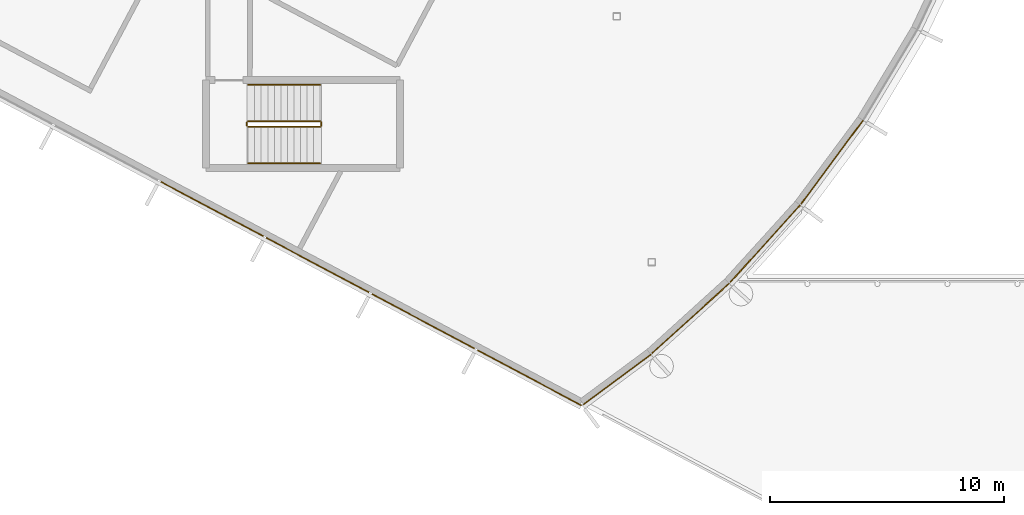
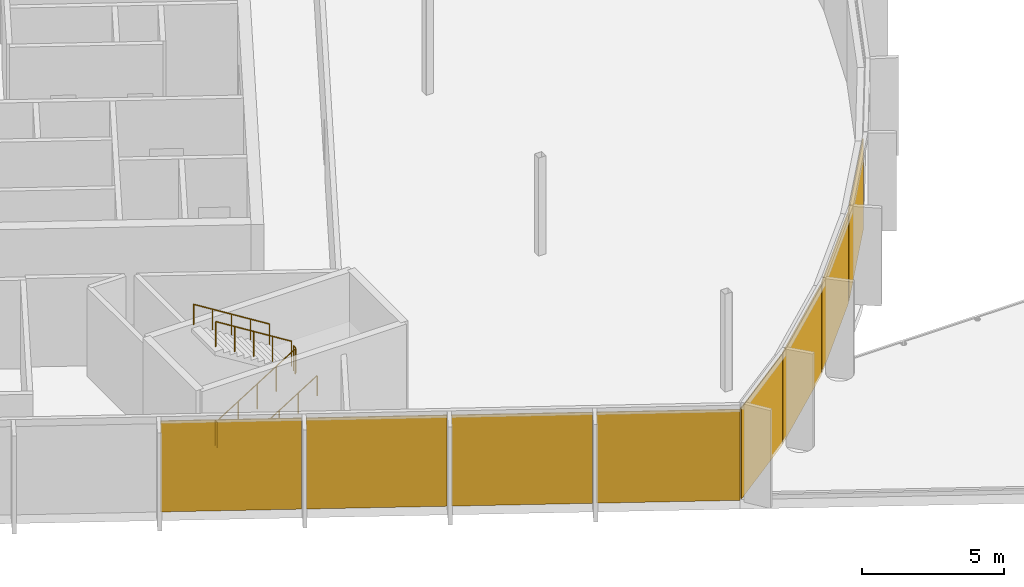
# One storey, part 12 of 16: 8 coverings, 6 railings, 5 elements without a shape of their own.
"""IFC4 building model written with IfcOpenShell, lengths in metres."""

from ifc_helpers import new_model, si_unit, direction, frame, origin, origin_2d, place, context, subcontext, project, spatial, polyline, rectangle, outline, extrude, material, layer, layer_set, type_object, element, aggregate, save


model = new_model("IFC4")

# Units and contexts
model_context = context("Model", 3, precision=1e-05, world=origin(), true_north=direction((0.0, 1.0)))
body_context = subcontext(model_context, "Body", "Model", "MODEL_VIEW")
ifc_project = project(units=[si_unit("LENGTHUNIT", "METRE"), si_unit("AREAUNIT", "SQUARE_METRE"), si_unit("VOLUMEUNIT", "CUBIC_METRE"), si_unit("PLANEANGLEUNIT", "RADIAN"), si_unit("MASSUNIT", "GRAM", prefix="KILO")], contexts=[model_context])

# Site, building, storey
site_placement = place(None, origin())
site = spatial("IfcSite", under=ifc_project, at=site_placement, CompositionType="ELEMENT")
building_placement = place(site_placement, origin())
building = spatial("IfcBuilding", under=site, at=building_placement, Name="Cormorant Relay Tower", CompositionType="ELEMENT")
storey_placement = place(building_placement, frame((0.0, 0.0, 328.199951171875)))
storey = spatial("IfcBuildingStorey", under=building, at=storey_placement, Name="C1", CompositionType="ELEMENT", Elevation=328.199951171875)

# Curtain wall, coverings
ifc_material_1 = material(Name="Aluminium 6063-T6 anodised bronze", Category="aluminium")
ifc_layer_1 = layer(ifc_material_1, 0.199951171875)
ifc_layer_set_1 = layer_set([ifc_layer_1], Name="CW3 crown screen wall")
curtain_wall_type = type_object("IfcCurtainWallType", Name="CW3 crown screen wall", PredefinedType="NOTDEFINED", material=ifc_layer_set_1)
curtain_wall_1_placement = place(storey_placement, origin())
curtain_wall_1 = element("IfcCurtainWall", 1, at=curtain_wall_1_placement, inside=storey, type_object=curtain_wall_type, Name="CW3 curtain wall 1", PredefinedType="NOTDEFINED")
ifc_material_2 = material(Name="Perforated bronze anodised aluminium screen", Category="aluminium")
ifc_layer_2 = layer(ifc_material_2, 0.0400390625)
ifc_layer_set_2 = layer_set([ifc_layer_2], Name="CW3 perforated bronze screen panel 40")
covering_type = type_object("IfcCoveringType", Name="CW3 perforated bronze screen panel 40", PredefinedType="CLADDING", material=ifc_layer_set_2)
covering_1_placement = place(storey_placement, frame((-29.293212890625, -8.231201171875, 0.0), z_axis=(0.0, 0.0, 1.0), x_axis=(0.882947592859, -0.469471562786, 0.0)))
covering_1 = element("IfcCovering", 2, at=covering_1_placement, type_object=covering_type, Name="CW3 panel X04", PredefinedType="CLADDING", context=body_context, shape_type="SweptSolid", body=[
    extrude(rectangle(XDim=4.961181640625, YDim=0.0400390625, at=origin_2d()), origin(), (0.0, 0.0, 1.0), 3.89990234375),
])
covering_2_placement = place(storey_placement, frame((-24.780517578125, -10.630615234375, 0.0), z_axis=(0.0, 0.0, 1.0), x_axis=(0.882947592859, -0.469471562786, 0.0)))
covering_2 = element("IfcCovering", 3, at=covering_2_placement, type_object=covering_type, Name="CW3 panel X05", PredefinedType="CLADDING", context=body_context, shape_type="SweptSolid", body=[
    extrude(rectangle(XDim=4.961181640625, YDim=0.0400390625, at=origin_2d()), origin(), (0.0, 0.0, 1.0), 3.89990234375),
])
covering_3_placement = place(storey_placement, frame((-20.267578125, -13.030029296875, 0.0), z_axis=(0.0, 0.0, 1.0), x_axis=(0.882947592859, -0.469471562786, 0.0)))
covering_3 = element("IfcCovering", 4, at=covering_3_placement, type_object=covering_type, Name="CW3 panel X06", PredefinedType="CLADDING", context=body_context, shape_type="SweptSolid", body=[
    extrude(rectangle(XDim=4.961181640625, YDim=0.0400390625, at=origin_2d()), origin(), (0.0, 0.0, 1.0), 3.89990234375),
])
covering_4_placement = place(storey_placement, frame((-15.7216796875, -15.447265625, 0.0), z_axis=(0.0, 0.0, 1.0), x_axis=(0.882947592859, -0.469471562786, 0.0)))
covering_4 = element("IfcCovering", 5, at=covering_4_placement, type_object=covering_type, Name="CW3 panel X07", PredefinedType="CLADDING", context=body_context, shape_type="SweptSolid", body=[
    extrude(rectangle(XDim=5.0361328125, YDim=0.0400390625, at=origin_2d()), origin(), (0.0, 0.0, 1.0), 3.89990234375),
])
aggregate(curtain_wall_1, [covering_1, covering_2, covering_3, covering_4])

# Curtain wall, covering
curtain_wall_2_placement = place(storey_placement, origin())
curtain_wall_2 = element("IfcCurtainWall", 6, at=curtain_wall_2_placement, inside=storey, type_object=curtain_wall_type, Name="CW3 curtain wall 2", PredefinedType="NOTDEFINED")
covering_5_placement = place(storey_placement, frame((-11.977783203125, -15.515625, 0.0), z_axis=(0.0, 0.0, 1.0), x_axis=(0.803207531481, 0.595699304492, 0.0)))
covering_5 = element("IfcCovering", 7, at=covering_5_placement, type_object=covering_type, Name="CW3 panel X00", PredefinedType="CLADDING", context=body_context, shape_type="SweptSolid", body=[
    extrude(rectangle(XDim=3.58349609375, YDim=0.0400390625, at=origin_2d()), origin(), (0.0, 0.0, 1.0), 3.89990234375),
])
aggregate(curtain_wall_2, [covering_5])

curtain_wall_3_placement = place(storey_placement, origin())
curtain_wall_3 = element("IfcCurtainWall", 8, at=curtain_wall_3_placement, inside=storey, type_object=curtain_wall_type, Name="CW3 curtain wall 3", PredefinedType="NOTDEFINED")
covering_6_placement = place(storey_placement, frame((-8.8369140625, -12.906005859375, 0.0), z_axis=(0.0, 0.0, 1.0), x_axis=(0.740951125355, 0.671558954847, 0.0)))
covering_6 = element("IfcCovering", 9, at=covering_6_placement, type_object=covering_type, Name="CW3 panel X00", PredefinedType="CLADDING", context=body_context, shape_type="SweptSolid", body=[
    extrude(rectangle(XDim=4.439208984375, YDim=0.0400390625, at=origin_2d()), origin(), (0.0, 0.0, 1.0), 3.89990234375),
])
aggregate(curtain_wall_3, [covering_6])

curtain_wall_4_placement = place(storey_placement, origin())
curtain_wall_4 = element("IfcCurtainWall", 10, at=curtain_wall_4_placement, inside=storey, type_object=curtain_wall_type, Name="CW3 curtain wall 4", PredefinedType="NOTDEFINED")
covering_7_placement = place(storey_placement, frame((-5.64990234375, -9.7138671875, 0.0), z_axis=(0.0, 0.0, 1.0), x_axis=(0.671558954847, 0.740951125355, 0.0)))
covering_7 = element("IfcCovering", 11, at=covering_7_placement, type_object=covering_type, Name="CW3 panel X00", PredefinedType="CLADDING", context=body_context, shape_type="SweptSolid", body=[
    extrude(rectangle(XDim=4.439208984375, YDim=0.0400390625, at=origin_2d()), origin(), (0.0, 0.0, 1.0), 3.89990234375),
])
aggregate(curtain_wall_4, [covering_7])

curtain_wall_5_placement = place(storey_placement, origin())
curtain_wall_5 = element("IfcCurtainWall", 12, at=curtain_wall_5_placement, inside=storey, type_object=curtain_wall_type, Name="CW3 curtain wall 5", PredefinedType="NOTDEFINED")
covering_8_placement = place(storey_placement, frame((-2.791259765625, -6.224609375, 0.0), z_axis=(0.0, 0.0, 1.0), x_axis=(0.595699304492, 0.803207531481, 0.0)))
covering_8 = element("IfcCovering", 13, at=covering_8_placement, type_object=covering_type, Name="CW3 panel X00", PredefinedType="CLADDING", context=body_context, shape_type="SweptSolid", body=[
    extrude(rectangle(XDim=4.439208984375, YDim=0.0400390625, at=origin_2d()), origin(), (0.0, 0.0, 1.0), 3.89990234375),
])
aggregate(curtain_wall_5, [covering_8])

# Railings
ifc_material_3 = material(Name="Steel ASTM A572 Grade 50 (Fy 345 MPa)", Category="steel")
railing_type_1 = type_object("IfcRailingType", Name="Stair guard 1100", PredefinedType="GUARDRAIL", material=ifc_material_3)
railing_1_placement = place(storey_placement, frame((-27.75, -4.72509765625, 0.175048828125)))
element("IfcRailing", 14, at=railing_1_placement, inside=storey, type_object=railing_type_1, Name="C1 RC1 stair guard 1", PredefinedType="GUARDRAIL", context=body_context, shape_type="SweptSolid", body=[
    extrude(outline(polyline([(0.022216796875, 0.00927734375), (0.00927734375, 0.022216796875), (-0.00927734375, 0.022216796875), (-0.022216796875, 0.00927734375), (-0.022216796875, -0.00927734375), (-0.00927734375, -0.022216796875), (0.00927734375, -0.022216796875), (0.022216796875, -0.00927734375), (0.022216796875, 0.00927734375)])), frame((0.0, 0.0, 1.076171875), z_axis=(0.847998304005, 0.0, 0.529998940003), x_axis=(0.0, 1.0, 0.0)), (0.0, 0.0, 1.0), 3.632080078125),
    extrude(outline(polyline([(0.019287109375, 0.008056640625), (0.008056640625, 0.019287109375), (-0.008056640625, 0.019287109375), (-0.019287109375, 0.008056640625), (-0.019287109375, -0.008056640625), (-0.008056640625, -0.019287109375), (0.008056640625, -0.019287109375), (0.019287109375, -0.008056640625), (0.019287109375, 0.008056640625)])), origin(), (0.0, 0.0, 1.0), 1.052001953125),
    extrude(outline(polyline([(0.019287109375, 0.008056640625), (0.008056640625, 0.019287109375), (-0.008056640625, 0.019287109375), (-0.019287109375, 0.008056640625), (-0.019287109375, -0.008056640625), (-0.008056640625, -0.019287109375), (0.008056640625, -0.019287109375), (0.019287109375, -0.008056640625), (0.019287109375, 0.008056640625)])), frame((0.77001953125, 0.0, 0.481201171875)), (0.0, 0.0, 1.0), 1.052001953125),
    extrude(outline(polyline([(0.019287109375, 0.008056640625), (0.008056640625, 0.019287109375), (-0.008056640625, 0.019287109375), (-0.019287109375, 0.008056640625), (-0.019287109375, -0.008056640625), (-0.008056640625, -0.019287109375), (0.008056640625, -0.019287109375), (0.019287109375, -0.008056640625), (0.019287109375, 0.008056640625)])), frame((1.5400390625, 0.0, 0.96240234375)), (0.0, 0.0, 1.0), 1.052001953125),
    extrude(outline(polyline([(0.019287109375, 0.008056640625), (0.008056640625, 0.019287109375), (-0.008056640625, 0.019287109375), (-0.019287109375, 0.008056640625), (-0.019287109375, -0.008056640625), (-0.008056640625, -0.019287109375), (0.008056640625, -0.019287109375), (0.019287109375, -0.008056640625), (0.019287109375, 0.008056640625)])), frame((2.31005859375, 0.0, 1.44384765625)), (0.0, 0.0, 1.0), 1.052001953125),
    extrude(outline(polyline([(0.019287109375, 0.008056640625), (0.008056640625, 0.019287109375), (-0.008056640625, 0.019287109375), (-0.019287109375, 0.008056640625), (-0.019287109375, -0.008056640625), (-0.008056640625, -0.019287109375), (0.008056640625, -0.019287109375), (0.019287109375, -0.008056640625), (0.019287109375, 0.008056640625)])), frame((3.080078125, 0.0, 1.925048828125)), (0.0, 0.0, 1.0), 1.052001953125),
])
railing_2_placement = place(storey_placement, frame((-24.6201171875, -4.675048828125, 2.10009765625)))
element("IfcRailing", 15, at=railing_2_placement, inside=storey, type_object=railing_type_1, Name="C1 RC1 stair guard 2", PredefinedType="GUARDRAIL", context=body_context, shape_type="SweptSolid", body=[
    extrude(outline(polyline([(0.022216796875, 0.00927734375), (0.00927734375, 0.022216796875), (-0.00927734375, 0.022216796875), (-0.022216796875, 0.00927734375), (-0.022216796875, -0.00927734375), (-0.00927734375, -0.022216796875), (0.00927734375, -0.022216796875), (0.022216796875, -0.00927734375), (0.022216796875, 0.00927734375)])), frame((0.0, 0.0, 1.076171875), z_axis=(0.0, 1.0, 0.0), x_axis=(-1.0, 0.0, 0.0)), (0.0, 0.0, 1.0), 0.150146484375),
    extrude(outline(polyline([(0.019287109375, 0.008056640625), (0.008056640625, 0.019287109375), (-0.008056640625, 0.019287109375), (-0.019287109375, 0.008056640625), (-0.019287109375, -0.008056640625), (-0.008056640625, -0.019287109375), (0.008056640625, -0.019287109375), (0.019287109375, -0.008056640625), (0.019287109375, 0.008056640625)])), origin(), (0.0, 0.0, 1.0), 1.052001953125),
    extrude(outline(polyline([(0.019287109375, 0.008056640625), (0.008056640625, 0.019287109375), (-0.008056640625, 0.019287109375), (-0.019287109375, 0.008056640625), (-0.019287109375, -0.008056640625), (-0.008056640625, -0.019287109375), (0.008056640625, -0.019287109375), (0.019287109375, -0.008056640625), (0.019287109375, 0.008056640625)])), frame((0.0, 0.150146484375, 0.0)), (0.0, 0.0, 1.0), 1.052001953125),
])
railing_3_placement = place(storey_placement, frame((-24.669921875, -4.47509765625, 2.275146484375)))
element("IfcRailing", 16, at=railing_3_placement, inside=storey, type_object=railing_type_1, Name="C1 RC1 stair guard 3", PredefinedType="GUARDRAIL", context=body_context, shape_type="SweptSolid", body=[
    extrude(outline(polyline([(0.022216796875, 0.00927734375), (0.00927734375, 0.022216796875), (-0.00927734375, 0.022216796875), (-0.022216796875, 0.00927734375), (-0.022216796875, -0.00927734375), (-0.00927734375, -0.022216796875), (0.00927734375, -0.022216796875), (0.022216796875, -0.00927734375), (0.022216796875, 0.00927734375)])), frame((0.0, 0.0, 1.076171875), z_axis=(-0.848028513186, 0.0, 0.529950602248), x_axis=(0.0, -1.0, 0.0)), (0.0, 0.0, 1.0), 3.632080078125),
    extrude(outline(polyline([(0.019287109375, 0.008056640625), (0.008056640625, 0.019287109375), (-0.008056640625, 0.019287109375), (-0.019287109375, 0.008056640625), (-0.019287109375, -0.008056640625), (-0.008056640625, -0.019287109375), (0.008056640625, -0.019287109375), (0.019287109375, -0.008056640625), (0.019287109375, 0.008056640625)])), origin(), (0.0, 0.0, 1.0), 1.052001953125),
    extrude(outline(polyline([(0.019287109375, 0.008056640625), (0.008056640625, 0.019287109375), (-0.008056640625, 0.019287109375), (-0.019287109375, 0.008056640625), (-0.019287109375, -0.008056640625), (-0.008056640625, -0.019287109375), (0.008056640625, -0.019287109375), (0.019287109375, -0.008056640625), (0.019287109375, 0.008056640625)])), frame((-0.77001953125, 0.0, 0.481201171875)), (0.0, 0.0, 1.0), 1.052001953125),
    extrude(outline(polyline([(0.019287109375, 0.008056640625), (0.008056640625, 0.019287109375), (-0.008056640625, 0.019287109375), (-0.019287109375, 0.008056640625), (-0.019287109375, -0.008056640625), (-0.008056640625, -0.019287109375), (0.008056640625, -0.019287109375), (0.019287109375, -0.008056640625), (0.019287109375, 0.008056640625)])), frame((-1.5400390625, 0.0, 0.96240234375)), (0.0, 0.0, 1.0), 1.052001953125),
    extrude(outline(polyline([(0.019287109375, 0.008056640625), (0.008056640625, 0.019287109375), (-0.008056640625, 0.019287109375), (-0.019287109375, 0.008056640625), (-0.019287109375, -0.008056640625), (-0.008056640625, -0.019287109375), (0.008056640625, -0.019287109375), (0.019287109375, -0.008056640625), (0.019287109375, 0.008056640625)])), frame((-2.31005859375, 0.0, 1.443603515625)), (0.0, 0.0, 1.0), 1.052001953125),
    extrude(outline(polyline([(0.019287109375, 0.008056640625), (0.008056640625, 0.019287109375), (-0.008056640625, 0.019287109375), (-0.019287109375, 0.008056640625), (-0.019287109375, -0.008056640625), (-0.008056640625, -0.019287109375), (0.008056640625, -0.019287109375), (0.019287109375, -0.008056640625), (0.019287109375, 0.008056640625)])), frame((-3.080078125, 0.0, 1.9248046875)), (0.0, 0.0, 1.0), 1.052001953125),
])
railing_4_placement = place(storey_placement, frame((-27.800048828125, -4.675048828125, 0.0)))
element("IfcRailing", 17, at=railing_4_placement, inside=storey, type_object=railing_type_1, Name="C1 RC1 stair guard 4", PredefinedType="GUARDRAIL", context=body_context, shape_type="SweptSolid", body=[
    extrude(outline(polyline([(0.022216796875, 0.00927734375), (0.00927734375, 0.022216796875), (-0.00927734375, 0.022216796875), (-0.022216796875, 0.00927734375), (-0.022216796875, -0.00927734375), (-0.00927734375, -0.022216796875), (0.00927734375, -0.022216796875), (0.022216796875, -0.00927734375), (0.022216796875, 0.00927734375)])), frame((0.0, 0.0, 1.076171875), z_axis=(0.0, 1.0, 0.0), x_axis=(-1.0, 0.0, 0.0)), (0.0, 0.0, 1.0), 0.150146484375),
    extrude(outline(polyline([(0.019287109375, 0.008056640625), (0.008056640625, 0.019287109375), (-0.008056640625, 0.019287109375), (-0.019287109375, 0.008056640625), (-0.019287109375, -0.008056640625), (-0.008056640625, -0.019287109375), (0.008056640625, -0.019287109375), (0.019287109375, -0.008056640625), (0.019287109375, 0.008056640625)])), origin(), (0.0, 0.0, 1.0), 1.052001953125),
    extrude(outline(polyline([(0.019287109375, 0.008056640625), (0.008056640625, 0.019287109375), (-0.008056640625, 0.019287109375), (-0.019287109375, 0.008056640625), (-0.019287109375, -0.008056640625), (-0.008056640625, -0.019287109375), (0.008056640625, -0.019287109375), (0.019287109375, -0.008056640625), (0.019287109375, 0.008056640625)])), frame((0.0, 0.150146484375, 0.0)), (0.0, 0.0, 1.0), 1.052001953125),
])
ifc_material_4 = material(Name="Steel ASTM A572 Grade 50 (Fy 345 MPa)", Category="steel")
railing_type_2 = type_object("IfcRailingType", Name="Stair handrail 900", PredefinedType="HANDRAIL", material=ifc_material_4)
railing_5_placement = place(storey_placement, frame((-27.75, -6.27490234375, 0.175048828125)))
element("IfcRailing", 18, at=railing_5_placement, inside=storey, type_object=railing_type_2, Name="C1 RC1 stair handrail 1", PredefinedType="HANDRAIL", context=body_context, shape_type="SweptSolid", body=[
    extrude(outline(polyline([(0.022216796875, 0.00927734375), (0.00927734375, 0.022216796875), (-0.00927734375, 0.022216796875), (-0.022216796875, 0.00927734375), (-0.022216796875, -0.00927734375), (-0.00927734375, -0.022216796875), (0.00927734375, -0.022216796875), (0.022216796875, -0.00927734375), (0.022216796875, 0.00927734375)])), frame((0.0, 0.0, 0.8759765625), z_axis=(0.847998304005, 0.0, 0.529998940003), x_axis=(0.0, 1.0, 0.0)), (0.0, 0.0, 1.0), 3.632080078125),
    extrude(outline(polyline([(0.019287109375, 0.008056640625), (0.008056640625, 0.019287109375), (-0.008056640625, 0.019287109375), (-0.019287109375, 0.008056640625), (-0.019287109375, -0.008056640625), (-0.008056640625, -0.019287109375), (0.008056640625, -0.019287109375), (0.019287109375, -0.008056640625), (0.019287109375, 0.008056640625)])), origin(), (0.0, 0.0, 1.0), 0.851806640625),
    extrude(outline(polyline([(0.019287109375, 0.008056640625), (0.008056640625, 0.019287109375), (-0.008056640625, 0.019287109375), (-0.019287109375, 0.008056640625), (-0.019287109375, -0.008056640625), (-0.008056640625, -0.019287109375), (0.008056640625, -0.019287109375), (0.019287109375, -0.008056640625), (0.019287109375, 0.008056640625)])), frame((0.77001953125, 0.0, 0.481201171875)), (0.0, 0.0, 1.0), 0.851806640625),
    extrude(outline(polyline([(0.019287109375, 0.008056640625), (0.008056640625, 0.019287109375), (-0.008056640625, 0.019287109375), (-0.019287109375, 0.008056640625), (-0.019287109375, -0.008056640625), (-0.008056640625, -0.019287109375), (0.008056640625, -0.019287109375), (0.019287109375, -0.008056640625), (0.019287109375, 0.008056640625)])), frame((1.5400390625, 0.0, 0.96240234375)), (0.0, 0.0, 1.0), 0.851806640625),
    extrude(outline(polyline([(0.019287109375, 0.008056640625), (0.008056640625, 0.019287109375), (-0.008056640625, 0.019287109375), (-0.019287109375, 0.008056640625), (-0.019287109375, -0.008056640625), (-0.008056640625, -0.019287109375), (0.008056640625, -0.019287109375), (0.019287109375, -0.008056640625), (0.019287109375, 0.008056640625)])), frame((2.31005859375, 0.0, 1.44384765625)), (0.0, 0.0, 1.0), 0.851806640625),
    extrude(outline(polyline([(0.019287109375, 0.008056640625), (0.008056640625, 0.019287109375), (-0.008056640625, 0.019287109375), (-0.019287109375, 0.008056640625), (-0.019287109375, -0.008056640625), (-0.008056640625, -0.019287109375), (0.008056640625, -0.019287109375), (0.019287109375, -0.008056640625), (0.019287109375, 0.008056640625)])), frame((3.080078125, 0.0, 1.925048828125)), (0.0, 0.0, 1.0), 0.851806640625),
])
railing_6_placement = place(storey_placement, frame((-24.669921875, -2.925048828125, 2.275146484375)))
element("IfcRailing", 19, at=railing_6_placement, inside=storey, type_object=railing_type_2, Name="C1 RC1 stair handrail 2", PredefinedType="HANDRAIL", context=body_context, shape_type="SweptSolid", body=[
    extrude(outline(polyline([(0.022216796875, 0.00927734375), (0.00927734375, 0.022216796875), (-0.00927734375, 0.022216796875), (-0.022216796875, 0.00927734375), (-0.022216796875, -0.00927734375), (-0.00927734375, -0.022216796875), (0.00927734375, -0.022216796875), (0.022216796875, -0.00927734375), (0.022216796875, 0.00927734375)])), frame((0.0, 0.0, 0.8759765625), z_axis=(-0.848028513186, 0.0, 0.529950602248), x_axis=(0.0, -1.0, 0.0)), (0.0, 0.0, 1.0), 3.632080078125),
    extrude(outline(polyline([(0.019287109375, 0.008056640625), (0.008056640625, 0.019287109375), (-0.008056640625, 0.019287109375), (-0.019287109375, 0.008056640625), (-0.019287109375, -0.008056640625), (-0.008056640625, -0.019287109375), (0.008056640625, -0.019287109375), (0.019287109375, -0.008056640625), (0.019287109375, 0.008056640625)])), origin(), (0.0, 0.0, 1.0), 0.851806640625),
    extrude(outline(polyline([(0.019287109375, 0.008056640625), (0.008056640625, 0.019287109375), (-0.008056640625, 0.019287109375), (-0.019287109375, 0.008056640625), (-0.019287109375, -0.008056640625), (-0.008056640625, -0.019287109375), (0.008056640625, -0.019287109375), (0.019287109375, -0.008056640625), (0.019287109375, 0.008056640625)])), frame((-0.77001953125, 0.0, 0.481201171875)), (0.0, 0.0, 1.0), 0.851806640625),
    extrude(outline(polyline([(0.019287109375, 0.008056640625), (0.008056640625, 0.019287109375), (-0.008056640625, 0.019287109375), (-0.019287109375, 0.008056640625), (-0.019287109375, -0.008056640625), (-0.008056640625, -0.019287109375), (0.008056640625, -0.019287109375), (0.019287109375, -0.008056640625), (0.019287109375, 0.008056640625)])), frame((-1.5400390625, 0.0, 0.96240234375)), (0.0, 0.0, 1.0), 0.851806640625),
    extrude(outline(polyline([(0.019287109375, 0.008056640625), (0.008056640625, 0.019287109375), (-0.008056640625, 0.019287109375), (-0.019287109375, 0.008056640625), (-0.019287109375, -0.008056640625), (-0.008056640625, -0.019287109375), (0.008056640625, -0.019287109375), (0.019287109375, -0.008056640625), (0.019287109375, 0.008056640625)])), frame((-2.31005859375, 0.0, 1.443603515625)), (0.0, 0.0, 1.0), 0.851806640625),
    extrude(outline(polyline([(0.019287109375, 0.008056640625), (0.008056640625, 0.019287109375), (-0.008056640625, 0.019287109375), (-0.019287109375, 0.008056640625), (-0.019287109375, -0.008056640625), (-0.008056640625, -0.019287109375), (0.008056640625, -0.019287109375), (0.019287109375, -0.008056640625), (0.019287109375, 0.008056640625)])), frame((-3.080078125, 0.0, 1.9248046875)), (0.0, 0.0, 1.0), 0.851806640625),
])

save(model, "model.ifc")
